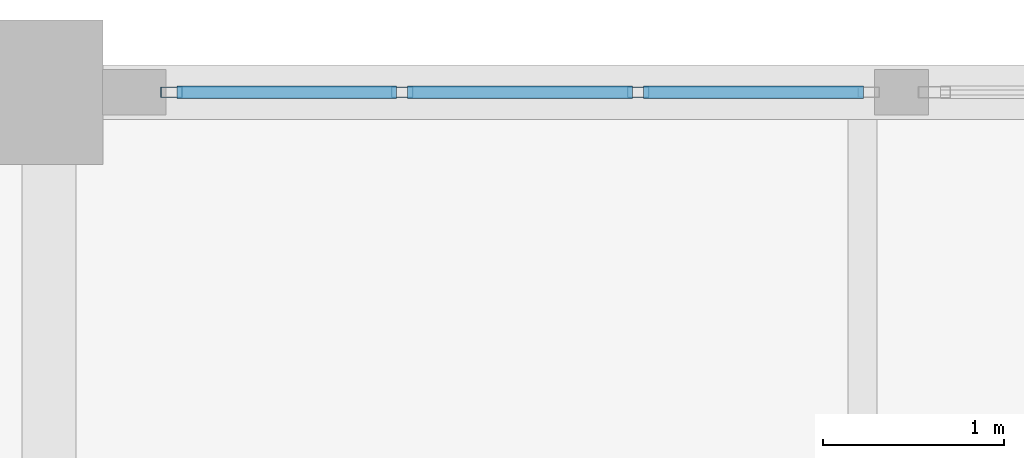
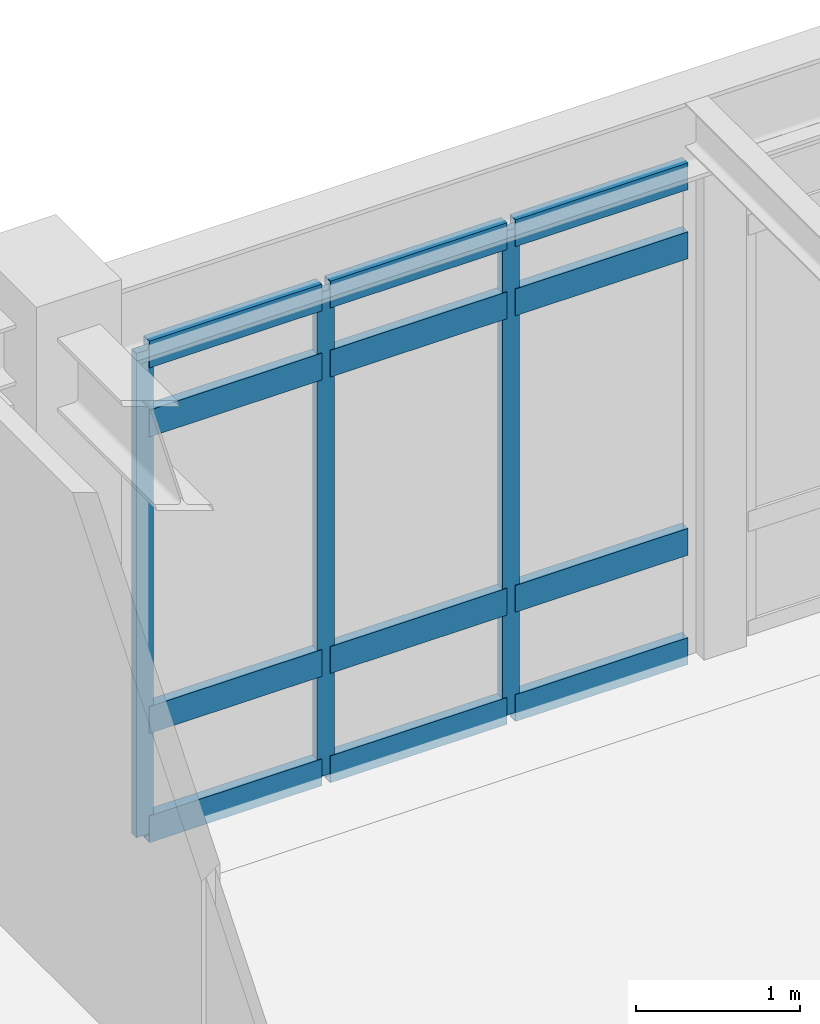
# One storey, part 16 of 61: 15 members, 1 element without a shape of its own.
"""IFC4 building model written with IfcOpenShell, lengths in metres."""

from ifc_helpers import new_model, si_unit, direction, frame, origin, origin_2d, place, context, subcontext, project, spatial, hollow_rectangle, extrude, material, layer, layer_set, material_profile, profile_set, type_object, element, aggregate, save


model = new_model("IFC4")

# Units and contexts
model_context = context("Model", 3, precision=1e-05, world=origin(), true_north=direction((0.0, 1.0)))
body_context = subcontext(model_context, "Body", "Model", "MODEL_VIEW")
ifc_project = project(units=[si_unit("LENGTHUNIT", "METRE"), si_unit("AREAUNIT", "SQUARE_METRE"), si_unit("VOLUMEUNIT", "CUBIC_METRE"), si_unit("PLANEANGLEUNIT", "RADIAN"), si_unit("MASSUNIT", "GRAM", prefix="KILO")], contexts=[model_context])

# Site, building, storey
site_placement = place(None, origin())
site = spatial("IfcSite", under=ifc_project, at=site_placement, CompositionType="ELEMENT")
building_placement = place(site_placement, origin())
building = spatial("IfcBuilding", under=site, at=building_placement, Name="Fikremerkos Civic Library", CompositionType="ELEMENT")
storey_placement = place(building_placement, frame((0.0, 0.0, 14.39990234375)))
storey = spatial("IfcBuildingStorey", under=building, at=storey_placement, Name="L03", CompositionType="ELEMENT", Elevation=14.39990234375)

# Curtain wall, members
ifc_material = material(Name="Anodized aluminium Frame", Category="aluminium")
ifc_layer = layer(ifc_material, 0.159912109375, Name="Anodized aluminium Frame")
ifc_layer_set = layer_set([ifc_layer], Name="Anodized aluminium Frame")
curtain_wall_type = type_object("IfcCurtainWallType", Name="Unitised curtain wall CW-16 3100x4100", PredefinedType="USERDEFINED", material=ifc_layer_set)
curtain_wall_placement = place(storey_placement, origin())
curtain_wall = element("IfcCurtainWall", 1, at=curtain_wall_placement, inside=storey, type_object=curtain_wall_type, Name="Unitised curtain wall CW-16 L03 #196", ObjectType="UNITISED CURTAIN WALL", PredefinedType="USERDEFINED")
ifc_material_profile_1 = material_profile(ifc_material, hollow_rectangle(XDim=0.06005859375, YDim=0.1201171875, WallThickness=0.00390625, at=origin_2d()), Name="ALU 120x60x4")
ifc_profile_set_1 = profile_set([ifc_material_profile_1], Name="Anodized aluminium Frame")
member_type_1 = type_object("IfcMemberType", Name="Curtain mullion CWM-04 ALU 120x60x4", PredefinedType="MULLION", material=ifc_profile_set_1)
member_1_placement = place(storey_placement, frame((60.3779296875, 48.0, 0.0), z_axis=(0.0, 0.0, 1.0), x_axis=(0.0, 1.0, 0.0)))
member_1 = element("IfcMember", 2, at=member_1_placement, type_object=member_type_1, Name="CW-16 mullion 1", PredefinedType="MULLION", context=body_context, shape_type="SweptSolid", body=[
    extrude(hollow_rectangle(XDim=0.06005859375, YDim=0.1201171875, WallThickness=0.00390625, at=origin_2d()), origin(), (0.0, 0.0, 1.0), 3.610107421875),
])
member_2_placement = place(storey_placement, frame((61.654052734375, 48.0, 0.0), z_axis=(0.0, 0.0, 1.0), x_axis=(0.0, 1.0, 0.0)))
member_2 = element("IfcMember", 3, at=member_2_placement, type_object=member_type_1, Name="CW-16 mullion 2", PredefinedType="MULLION", context=body_context, shape_type="SweptSolid", body=[
    extrude(hollow_rectangle(XDim=0.06005859375, YDim=0.1201171875, WallThickness=0.00390625, at=origin_2d()), origin(), (0.0, 0.0, 1.0), 3.610107421875),
])
member_3_placement = place(storey_placement, frame((62.9599609375, 48.0, 0.0), z_axis=(0.0, 0.0, 1.0), x_axis=(0.0, 1.0, 0.0)))
member_3 = element("IfcMember", 4, at=member_3_placement, type_object=member_type_1, Name="CW-16 mullion 3", PredefinedType="MULLION", context=body_context, shape_type="SweptSolid", body=[
    extrude(hollow_rectangle(XDim=0.06005859375, YDim=0.1201171875, WallThickness=0.00390625, at=origin_2d()), origin(), (0.0, 0.0, 1.0), 3.610107421875),
])
ifc_material_profile_2 = material_profile(ifc_material, hollow_rectangle(XDim=0.070068359375, YDim=0.199951171875, WallThickness=0.0048828125, at=origin_2d()), Name="ALU 200x70x5")
ifc_profile_set_2 = profile_set([ifc_material_profile_2], Name="Anodized aluminium Frame")
member_type_2 = type_object("IfcMemberType", Name="Curtain transom CWT-04 ALU 200x70x5", PredefinedType="USERDEFINED", material=ifc_profile_set_2)
member_4_placement = place(storey_placement, frame((60.407958984375, 48.0, 0.03515625), z_axis=(1.0, 0.0, 0.0), x_axis=(0.0, 1.0, 0.0)))
member_4 = element("IfcMember", 5, at=member_4_placement, type_object=member_type_2, Name="CW-16 transom 1.1", ObjectType="TRANSOM", PredefinedType="USERDEFINED", context=body_context, shape_type="SweptSolid", body=[
    extrude(hollow_rectangle(XDim=0.070068359375, YDim=0.199951171875, WallThickness=0.0048828125, at=origin_2d()), origin(), (0.0, 0.0, 1.0), 1.216064453125),
])
member_5_placement = place(storey_placement, frame((60.407958984375, 48.0, 0.85009765625), z_axis=(1.0, 0.0, 0.0), x_axis=(0.0, 1.0, 0.0)))
member_5 = element("IfcMember", 6, at=member_5_placement, type_object=member_type_2, Name="CW-16 transom 1.2", ObjectType="TRANSOM", PredefinedType="USERDEFINED", context=body_context, shape_type="SweptSolid", body=[
    extrude(hollow_rectangle(XDim=0.070068359375, YDim=0.199951171875, WallThickness=0.0048828125, at=origin_2d()), origin(), (0.0, 0.0, 1.0), 1.216064453125),
])
member_6_placement = place(storey_placement, frame((60.407958984375, 48.0, 3.06005859375), z_axis=(1.0, 0.0, 0.0), x_axis=(0.0, 1.0, 0.0)))
member_6 = element("IfcMember", 7, at=member_6_placement, type_object=member_type_2, Name="CW-16 transom 1.3", ObjectType="TRANSOM", PredefinedType="USERDEFINED", context=body_context, shape_type="SweptSolid", body=[
    extrude(hollow_rectangle(XDim=0.070068359375, YDim=0.199951171875, WallThickness=0.0048828125, at=origin_2d()), origin(), (0.0, 0.0, 1.0), 1.216064453125),
])
member_7_placement = place(storey_placement, frame((60.407958984375, 48.0, 3.5751953125), z_axis=(1.0, 0.0, 0.0), x_axis=(0.0, 1.0, 0.0)))
member_7 = element("IfcMember", 8, at=member_7_placement, type_object=member_type_2, Name="CW-16 transom 1.4", ObjectType="TRANSOM", PredefinedType="USERDEFINED", context=body_context, shape_type="SweptSolid", body=[
    extrude(hollow_rectangle(XDim=0.070068359375, YDim=0.199951171875, WallThickness=0.0048828125, at=origin_2d()), origin(), (0.0, 0.0, 1.0), 1.216064453125),
])
member_8_placement = place(storey_placement, frame((61.68408203125, 48.0, 0.03515625), z_axis=(1.0, 0.0, 0.0), x_axis=(0.0, 1.0, 0.0)))
member_8 = element("IfcMember", 9, at=member_8_placement, type_object=member_type_2, Name="CW-16 transom 2.1", ObjectType="TRANSOM", PredefinedType="USERDEFINED", context=body_context, shape_type="SweptSolid", body=[
    extrude(hollow_rectangle(XDim=0.070068359375, YDim=0.199951171875, WallThickness=0.0048828125, at=origin_2d()), origin(), (0.0, 0.0, 1.0), 1.245849609375),
])
member_9_placement = place(storey_placement, frame((61.68408203125, 48.0, 0.85009765625), z_axis=(1.0, 0.0, 0.0), x_axis=(0.0, 1.0, 0.0)))
member_9 = element("IfcMember", 10, at=member_9_placement, type_object=member_type_2, Name="CW-16 transom 2.2", ObjectType="TRANSOM", PredefinedType="USERDEFINED", context=body_context, shape_type="SweptSolid", body=[
    extrude(hollow_rectangle(XDim=0.070068359375, YDim=0.199951171875, WallThickness=0.0048828125, at=origin_2d()), origin(), (0.0, 0.0, 1.0), 1.245849609375),
])
member_10_placement = place(storey_placement, frame((61.68408203125, 48.0, 3.06005859375), z_axis=(1.0, 0.0, 0.0), x_axis=(0.0, 1.0, 0.0)))
member_10 = element("IfcMember", 11, at=member_10_placement, type_object=member_type_2, Name="CW-16 transom 2.3", ObjectType="TRANSOM", PredefinedType="USERDEFINED", context=body_context, shape_type="SweptSolid", body=[
    extrude(hollow_rectangle(XDim=0.070068359375, YDim=0.199951171875, WallThickness=0.0048828125, at=origin_2d()), origin(), (0.0, 0.0, 1.0), 1.245849609375),
])
member_11_placement = place(storey_placement, frame((61.68408203125, 48.0, 3.5751953125), z_axis=(1.0, 0.0, 0.0), x_axis=(0.0, 1.0, 0.0)))
member_11 = element("IfcMember", 12, at=member_11_placement, type_object=member_type_2, Name="CW-16 transom 2.4", ObjectType="TRANSOM", PredefinedType="USERDEFINED", context=body_context, shape_type="SweptSolid", body=[
    extrude(hollow_rectangle(XDim=0.070068359375, YDim=0.199951171875, WallThickness=0.0048828125, at=origin_2d()), origin(), (0.0, 0.0, 1.0), 1.245849609375),
])
member_12_placement = place(storey_placement, frame((62.989990234375, 48.0, 0.03515625), z_axis=(1.0, 0.0, 0.0), x_axis=(0.0, 1.0, 0.0)))
member_12 = element("IfcMember", 13, at=member_12_placement, type_object=member_type_2, Name="CW-16 transom 3.1", ObjectType="TRANSOM", PredefinedType="USERDEFINED", context=body_context, shape_type="SweptSolid", body=[
    extrude(hollow_rectangle(XDim=0.070068359375, YDim=0.199951171875, WallThickness=0.0048828125, at=origin_2d()), origin(), (0.0, 0.0, 1.0), 1.216064453125),
])
member_13_placement = place(storey_placement, frame((62.989990234375, 48.0, 0.85009765625), z_axis=(1.0, 0.0, 0.0), x_axis=(0.0, 1.0, 0.0)))
member_13 = element("IfcMember", 14, at=member_13_placement, type_object=member_type_2, Name="CW-16 transom 3.2", ObjectType="TRANSOM", PredefinedType="USERDEFINED", context=body_context, shape_type="SweptSolid", body=[
    extrude(hollow_rectangle(XDim=0.070068359375, YDim=0.199951171875, WallThickness=0.0048828125, at=origin_2d()), origin(), (0.0, 0.0, 1.0), 1.216064453125),
])
member_14_placement = place(storey_placement, frame((62.989990234375, 48.0, 3.06005859375), z_axis=(1.0, 0.0, 0.0), x_axis=(0.0, 1.0, 0.0)))
member_14 = element("IfcMember", 15, at=member_14_placement, type_object=member_type_2, Name="CW-16 transom 3.3", ObjectType="TRANSOM", PredefinedType="USERDEFINED", context=body_context, shape_type="SweptSolid", body=[
    extrude(hollow_rectangle(XDim=0.070068359375, YDim=0.199951171875, WallThickness=0.0048828125, at=origin_2d()), origin(), (0.0, 0.0, 1.0), 1.216064453125),
])
member_15_placement = place(storey_placement, frame((62.989990234375, 48.0, 3.5751953125), z_axis=(1.0, 0.0, 0.0), x_axis=(0.0, 1.0, 0.0)))
member_15 = element("IfcMember", 16, at=member_15_placement, type_object=member_type_2, Name="CW-16 transom 3.4", ObjectType="TRANSOM", PredefinedType="USERDEFINED", context=body_context, shape_type="SweptSolid", body=[
    extrude(hollow_rectangle(XDim=0.070068359375, YDim=0.199951171875, WallThickness=0.0048828125, at=origin_2d()), origin(), (0.0, 0.0, 1.0), 1.216064453125),
])
aggregate(curtain_wall, [member_1, member_2, member_3, member_4, member_5, member_6, member_7, member_8, member_9, member_10, member_11, member_12, member_13, member_14, member_15])

save(model, "model.ifc")
